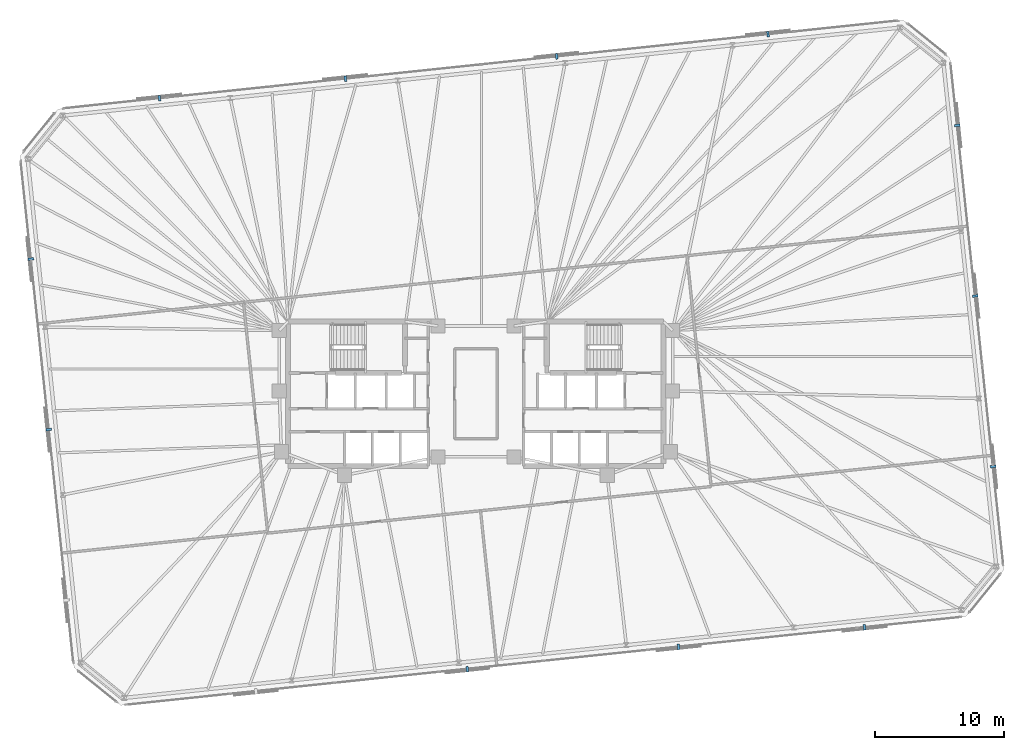
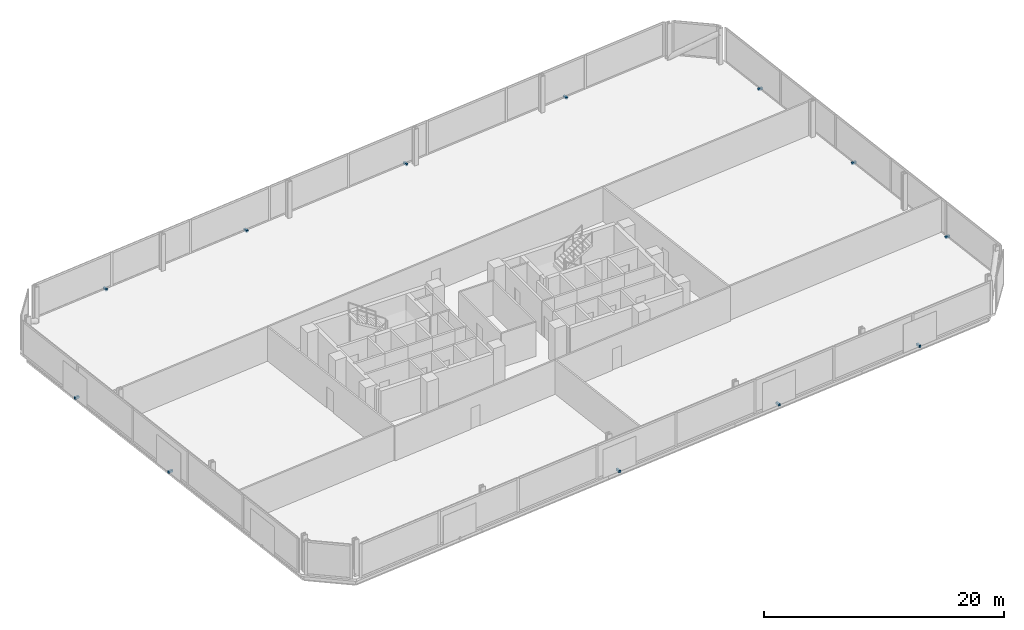
# One storey, part 16 of 17: 12 discrete accessories.
"""IFC4 building model written with IfcOpenShell, lengths in metres."""

from ifc_helpers import new_model, si_unit, direction, frame, origin, origin_2d, place, context, subcontext, project, spatial, rectangle, extrude, material, type_object, element, save


model = new_model("IFC4")

# Units and contexts
model_context = context("Model", 3, precision=1e-05, world=origin(), true_north=direction((0.0, 1.0)))
body_context = subcontext(model_context, "Body", "Model", "MODEL_VIEW")
ifc_project = project(units=[si_unit("LENGTHUNIT", "METRE"), si_unit("AREAUNIT", "SQUARE_METRE"), si_unit("VOLUMEUNIT", "CUBIC_METRE"), si_unit("PLANEANGLEUNIT", "RADIAN"), si_unit("MASSUNIT", "GRAM", prefix="KILO")], contexts=[model_context])

# Site, building, storey
site_placement = place(None, origin())
site = spatial("IfcSite", under=ifc_project, at=site_placement, CompositionType="ELEMENT")
building_placement = place(site_placement, origin())
building = spatial("IfcBuilding", under=site, at=building_placement, Name="Menara Jurai Vektor", CompositionType="ELEMENT")
storey_placement = place(building_placement, frame((0.0, 0.0, 109.60009765625)))
storey = spatial("IfcBuildingStorey", under=building, at=storey_placement, Name="L27", CompositionType="ELEMENT", Elevation=109.60009765625)

# Discrete accessories
ifc_material = material(Name="Steel S355", Category="steel")
discrete_accessory_type = type_object("IfcDiscreteAccessoryType", Name="ENV-ACC-BRACKET", PredefinedType="BRACKET", material=ifc_material)
for number, where, z_axis, x_axis, name in (
    (1, (-0.667236328125, -21.3525390625, -0.1298828125), (0.0, 0.0, 1.0), (0.994521895368, 0.104528463268, 0.0), "Solar Screen Stand-Off Bracket L27-S02"),
    (2, (15.717529296875, -19.63037109375, -0.1298828125), (0.0, 0.0, 1.0), (0.994521895368, 0.104528463268, 0.0), "Solar Screen Stand-Off Bracket L27-S03"),
    (3, (30.13623046875, -18.114990234375, -0.1298828125), (0.0, 0.0, 1.0), (0.994521895368, 0.104528463268, 0.0), "Solar Screen Stand-Off Bracket L27-S04"),
    (4, (40.105712890625, -5.648193359375, -0.1298828125), (0.0, 0.0, 1.0), (-0.104528463268, 0.994521895368, 0.0), "Solar Screen Stand-Off Bracket L27-S05"),
    (5, (38.71533203125, 7.5791015625, -0.1298828125), (0.0, 0.0, 1.0), (-0.104528463268, 0.994521895368, 0.0), "Solar Screen Stand-Off Bracket L27-S06"),
    (6, (37.3251953125, 20.80615234375, -0.1298828125), (0.0, 0.0, 1.0), (-0.104528463268, 0.994521895368, 0.0), "Solar Screen Stand-Off Bracket L27-S07"),
    (7, (22.65185546875, 27.87451171875, -0.1298828125), (0.0, 0.0, 1.0), (-0.994521895368, -0.104528463268, 0.0), "Solar Screen Stand-Off Bracket L27-S08"),
    (8, (6.26708984375, 26.152587890625, -0.1298828125), (0.0, 0.0, 1.0), (-0.994521895368, -0.104528463268, 0.0), "Solar Screen Stand-Off Bracket L27-S09"),
    (9, (-10.11767578125, 24.430419921875, -0.1298828125), (0.0, 0.0, 1.0), (-0.994521895368, -0.104528463268, 0.0), "Solar Screen Stand-Off Bracket L27-S10"),
    (10, (-24.5361328125, 22.9150390625, -0.1298828125), (0.0, 0.0, 1.0), (-0.994521895368, -0.104528463268, 0.0), "Solar Screen Stand-Off Bracket L27-S11"),
    (11, (-34.505615234375, 10.447998046875, -0.1298828125), (0.0, 0.0, 1.0), (0.104528463268, -0.994521895368, 0.0), "Solar Screen Stand-Off Bracket L27-S12"),
    (12, (-33.115478515625, -2.779052734375, -0.1298828125), (0.0, 0.0, 1.0), (0.104528463268, -0.994521895368, 0.0), "Solar Screen Stand-Off Bracket L27-S13"),
):
    element("IfcDiscreteAccessory", number, at=place(storey_placement, frame(where, z_axis=z_axis, x_axis=x_axis)), inside=storey, type_object=discrete_accessory_type, Name=name, PredefinedType="BRACKET", context=body_context, shape_type="SweptSolid", body=[
        extrude(rectangle(XDim=0.179931640625, YDim=0.43994140625, at=origin_2d()), origin(), (0.0, 0.0, 1.0), 0.219970703125),
    ])

save(model, "model.ifc")
